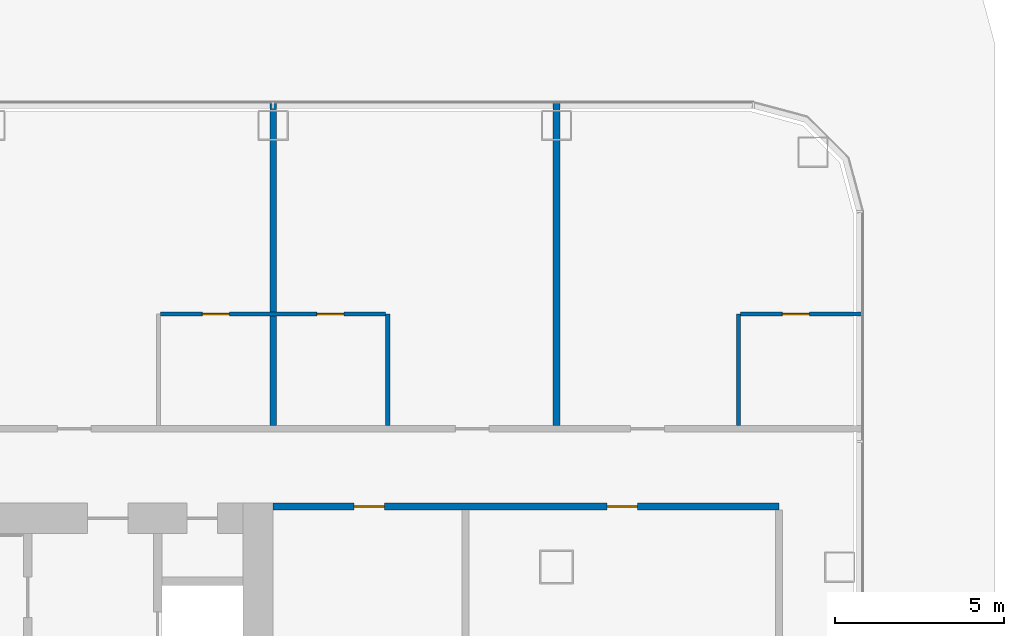
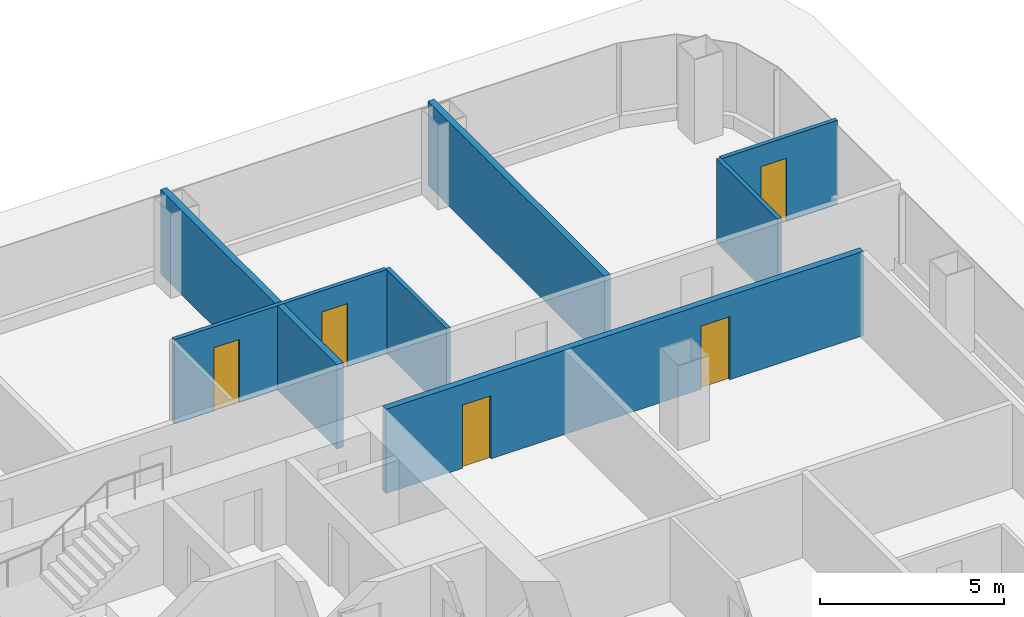
# One storey, part 27 of 42: 7 walls, 5 doors, 5 openings.
"""IFC4 building model written with IfcOpenShell, lengths in metres."""

from ifc_helpers import new_model, si_unit, direction, frame, frame_2d, origin, place, context, subcontext, project, spatial, rectangle, extrude, material, layer, layer_set, type_object, element, fill, save


model = new_model("IFC4")

# Units and contexts
model_context = context("Model", 3, precision=1e-05, world=origin(), true_north=direction((0.0, 1.0)))
body_context = subcontext(model_context, "Body", "Model", "MODEL_VIEW")
ifc_project = project(units=[si_unit("LENGTHUNIT", "METRE"), si_unit("AREAUNIT", "SQUARE_METRE"), si_unit("VOLUMEUNIT", "CUBIC_METRE"), si_unit("PLANEANGLEUNIT", "RADIAN"), si_unit("MASSUNIT", "GRAM", prefix="KILO")], contexts=[model_context])

# Site, building, storey
site_placement = place(None, origin())
site = spatial("IfcSite", under=ifc_project, at=site_placement, CompositionType="ELEMENT")
building_placement = place(site_placement, origin())
building = spatial("IfcBuilding", under=site, at=building_placement, Name="Hakoniwa Tower and Hamabe Station Hall", CompositionType="ELEMENT")
storey_placement = place(building_placement, frame((0.0, 0.0, 19.800048828125)))
storey = spatial("IfcBuildingStorey", under=building, at=storey_placement, Name="L04", CompositionType="ELEMENT", Elevation=19.800048828125)

# Wall, openings, doors
ifc_material_1 = material(Name="Gypsum board partition", Category="gypsum")
ifc_layer_1 = layer(ifc_material_1, 0.125)
ifc_layer_set_1 = layer_set([ifc_layer_1], Name="Bathroom Partition 125")
wall_type_1 = type_object("IfcWallType", Name="Bathroom Partition 125", PredefinedType="PARTITIONING", material=ifc_layer_set_1)
wall_1_placement = place(storey_placement, frame((30.262451171875, 14.0, 0.0), z_axis=(0.0, 0.0, 1.0), x_axis=(1.0, 0.0, 0.0)))
wall_1 = element("IfcWall", 1, at=wall_1_placement, inside=storey, type_object=wall_type_1, Name="GW-L04-034", PredefinedType="PARTITIONING", context=body_context, shape_type="SweptSolid", body=[
    extrude(rectangle(XDim=6.675048828125, YDim=0.125, at=frame_2d((3.33740234375, 0.0))), origin(), (0.0, 0.0, 1.0), 2.800048828125),
])
opening_1_placement = place(wall_1_placement, frame((1.237548828125, 0.0, 0.0)))
opening_1 = element("IfcOpeningElement", 2, at=opening_1_placement, cuts=wall_1, Name="Opening GD-G1A0-65", PredefinedType="OPENING", context=body_context, shape_type="SweptSolid", body=[
    extrude(rectangle(XDim=0.800048828125, YDim=2.10009765625, at=frame_2d((0.39990234375, 1.050048828125))), frame((0.0, 0.072509765625, 0.0), z_axis=(0.0, -1.0, 0.0), x_axis=(1.0, 0.0, 0.0)), (0.0, 0.0, 1.0), 0.14501953125),
])
opening_2_placement = place(wall_1_placement, frame((4.637451171875, 0.0, 0.0)))
opening_2 = element("IfcOpeningElement", 3, at=opening_2_placement, cuts=wall_1, Name="Opening GD-G1A0-66", PredefinedType="OPENING", context=body_context, shape_type="SweptSolid", body=[
    extrude(rectangle(XDim=0.800048828125, YDim=2.10009765625, at=frame_2d((0.39990234375, 1.050048828125))), frame((0.0, 0.072509765625, 0.0), z_axis=(0.0, -1.0, 0.0), x_axis=(1.0, 0.0, 0.0)), (0.0, 0.0, 1.0), 0.14501953125),
])
ifc_material_2 = material(Name="Timber door leaf", Category="wood")
door_type_1 = type_object("IfcDoorType", Name="Bathroom Door 800", OperationType="SINGLE_SWING_LEFT", PredefinedType="DOOR", material=ifc_material_2)
door_1_placement = place(opening_1_placement, origin())
door_1 = element("IfcDoor", 4, at=door_1_placement, inside=storey, type_object=door_type_1, Name="Door GD-G1A0-65", OperationType="SINGLE_SWING_RIGHT", OverallHeight=2.10009765625, OverallWidth=0.800048828125, PredefinedType="DOOR", context=body_context, shape_type="SweptSolid", body=[
    extrude(rectangle(XDim=0.800048828125, YDim=2.10009765625, at=frame_2d((0.39990234375, 1.050048828125))), frame((0.0, 0.02490234375, 0.0), z_axis=(0.0, -1.0, 0.0), x_axis=(1.0, 0.0, 0.0)), (0.0, 0.0, 1.0), 0.050048828125),
])
fill(opening_1, door_1)
door_2_placement = place(opening_2_placement, origin())
door_2 = element("IfcDoor", 5, at=door_2_placement, inside=storey, type_object=door_type_1, Name="Door GD-G1A0-66", OperationType="SINGLE_SWING_LEFT", OverallHeight=2.10009765625, OverallWidth=0.800048828125, PredefinedType="DOOR", context=body_context, shape_type="SweptSolid", body=[
    extrude(rectangle(XDim=0.800048828125, YDim=2.10009765625, at=frame_2d((0.39990234375, 1.050048828125))), frame((0.0, 0.02490234375, 0.0), z_axis=(0.0, -1.0, 0.0), x_axis=(1.0, 0.0, 0.0)), (0.0, 0.0, 1.0), 0.050048828125),
])
fill(opening_2, door_2)

# Wall, opening, door
wall_2_placement = place(storey_placement, frame((47.46240234375, 14.0, 0.0), z_axis=(0.0, 0.0, 1.0), x_axis=(1.0, 0.0, 0.0)))
wall_2 = element("IfcWall", 6, at=wall_2_placement, inside=storey, type_object=wall_type_1, Name="GW-L04-035", PredefinedType="PARTITIONING", context=body_context, shape_type="SweptSolid", body=[
    extrude(rectangle(XDim=3.6376953125, YDim=0.125, at=frame_2d((1.81884765625, 0.0))), origin(), (0.0, 0.0, 1.0), 2.800048828125),
])
opening_3_placement = place(wall_2_placement, frame((1.237548828125, 0.0, 0.0)))
opening_3 = element("IfcOpeningElement", 7, at=opening_3_placement, cuts=wall_2, Name="Opening GD-G1A0-67", PredefinedType="OPENING", context=body_context, shape_type="SweptSolid", body=[
    extrude(rectangle(XDim=0.800048828125, YDim=2.10009765625, at=frame_2d((0.39990234375, 1.050048828125))), frame((0.0, 0.072509765625, 0.0), z_axis=(0.0, -1.0, 0.0), x_axis=(1.0, 0.0, 0.0)), (0.0, 0.0, 1.0), 0.14501953125),
])
door_3_placement = place(opening_3_placement, origin())
door_3 = element("IfcDoor", 8, at=door_3_placement, inside=storey, type_object=door_type_1, Name="Door GD-G1A0-67", OperationType="SINGLE_SWING_LEFT", OverallHeight=2.10009765625, OverallWidth=0.800048828125, PredefinedType="DOOR", context=body_context, shape_type="SweptSolid", body=[
    extrude(rectangle(XDim=0.800048828125, YDim=2.10009765625, at=frame_2d((0.39990234375, 1.050048828125))), frame((0.0, 0.02490234375, 0.0), z_axis=(0.0, -1.0, 0.0), x_axis=(1.0, 0.0, 0.0)), (0.0, 0.0, 1.0), 0.050048828125),
])
fill(opening_3, door_3)

# Walls
for number, where, z_axis, x_axis, name in (
    (9, (37.0, 10.699951171875, 0.0), (0.0, 0.0, 1.0), (0.0, 1.0, 0.0), "GW-L04-089"),
    (10, (47.39990234375, 10.699951171875, 0.0), (0.0, 0.0, 1.0), (0.0, 1.0, 0.0), "GW-L04-097"),
):
    element("IfcWall", number, at=place(storey_placement, frame(where, z_axis=z_axis, x_axis=x_axis)), inside=storey, type_object=wall_type_1, Name=name, PredefinedType="PARTITIONING", context=body_context, shape_type="SweptSolid", body=[
        extrude(rectangle(XDim=3.300048828125, YDim=0.125, at=frame_2d((1.64990234375, 0.0))), origin(), (0.0, 0.0, 1.0), 2.800048828125),
    ])

# Wall, openings, doors
ifc_material_3 = material(Name="Fire-rated gypsum board partition", Category="gypsum")
ifc_layer_2 = layer(ifc_material_3, 0.199951171875)
ifc_layer_set_2 = layer_set([ifc_layer_2], Name="Corridor Wall 200")
wall_type_2 = type_object("IfcWallType", Name="Corridor Wall 200", PredefinedType="PARTITIONING", material=ifc_layer_set_2)
wall_3_placement = place(storey_placement, frame((33.60009765625, 8.300048828125, 0.0), z_axis=(0.0, 0.0, 1.0), x_axis=(1.0, 0.0, 0.0)))
wall_3 = element("IfcWall", 11, at=wall_3_placement, inside=storey, type_object=wall_type_2, Name="GW-L04-025", PredefinedType="PARTITIONING", context=body_context, shape_type="SweptSolid", body=[
    extrude(rectangle(XDim=15.0, YDim=0.199951171875, at=frame_2d((7.5, 0.0))), origin(), (0.0, 0.0, 1.0), 2.800048828125),
])
opening_4_placement = place(wall_3_placement, frame((2.39990234375, 0.0, 0.0)))
opening_4 = element("IfcOpeningElement", 12, at=opening_4_placement, cuts=wall_3, Name="Opening GD-G1A0-48", PredefinedType="OPENING", context=body_context, shape_type="SweptSolid", body=[
    extrude(rectangle(XDim=0.89990234375, YDim=2.10009765625, at=frame_2d((0.449951171875, 1.050048828125))), frame((0.0, 0.10986328125, 0.0), z_axis=(0.0, -1.0, 0.0), x_axis=(1.0, 0.0, 0.0)), (0.0, 0.0, 1.0), 0.219970703125),
])
opening_5_placement = place(wall_3_placement, frame((9.89990234375, 0.0, 0.0)))
opening_5 = element("IfcOpeningElement", 13, at=opening_5_placement, cuts=wall_3, Name="Opening GD-G1A0-49", PredefinedType="OPENING", context=body_context, shape_type="SweptSolid", body=[
    extrude(rectangle(XDim=0.89990234375, YDim=2.10009765625, at=frame_2d((0.449951171875, 1.050048828125))), frame((0.0, 0.10986328125, 0.0), z_axis=(0.0, -1.0, 0.0), x_axis=(1.0, 0.0, 0.0)), (0.0, 0.0, 1.0), 0.219970703125),
])
ifc_material_4 = material(Name="Timber door leaf", Category="wood")
door_type_2 = type_object("IfcDoorType", Name="Service Door 900", OperationType="SINGLE_SWING_LEFT", PredefinedType="DOOR", material=ifc_material_4)
door_4_placement = place(opening_4_placement, origin())
door_4 = element("IfcDoor", 14, at=door_4_placement, inside=storey, type_object=door_type_2, Name="Door GD-G1A0-48", OperationType="SINGLE_SWING_LEFT", OverallHeight=2.10009765625, OverallWidth=0.89990234375, PredefinedType="DOOR", context=body_context, shape_type="SweptSolid", body=[
    extrude(rectangle(XDim=0.89990234375, YDim=2.10009765625, at=frame_2d((0.449951171875, 1.050048828125))), frame((0.0, 0.02490234375, 0.0), z_axis=(0.0, -1.0, 0.0), x_axis=(1.0, 0.0, 0.0)), (0.0, 0.0, 1.0), 0.050048828125),
])
fill(opening_4, door_4)
door_5_placement = place(opening_5_placement, origin())
door_5 = element("IfcDoor", 15, at=door_5_placement, inside=storey, type_object=door_type_2, Name="Door GD-G1A0-49", OperationType="SINGLE_SWING_RIGHT", OverallHeight=2.10009765625, OverallWidth=0.89990234375, PredefinedType="DOOR", context=body_context, shape_type="SweptSolid", body=[
    extrude(rectangle(XDim=0.89990234375, YDim=2.10009765625, at=frame_2d((0.449951171875, 1.050048828125))), frame((0.0, 0.02490234375, 0.0), z_axis=(0.0, -1.0, 0.0), x_axis=(1.0, 0.0, 0.0)), (0.0, 0.0, 1.0), 0.050048828125),
])
fill(opening_5, door_5)

# Walls
ifc_material_5 = material(Name="Fire-rated gypsum board partition", Category="gypsum")
ifc_layer_3 = layer(ifc_material_5, 0.199951171875)
ifc_layer_set_3 = layer_set([ifc_layer_3], Name="Party Wall 200")
wall_type_3 = type_object("IfcWallType", Name="Party Wall 200", PredefinedType="PARTITIONING", material=ifc_layer_set_3)
for number, where, z_axis, x_axis, name in (
    (16, (33.60009765625, 10.699951171875, 0.0), (0.0, 0.0, 1.0), (0.0, 1.0, 0.0), "GW-L04-086"),
    (17, (42.0, 10.699951171875, 0.0), (0.0, 0.0, 1.0), (0.0, 1.0, 0.0), "GW-L04-094"),
):
    element("IfcWall", number, at=place(storey_placement, frame(where, z_axis=z_axis, x_axis=x_axis)), inside=storey, type_object=wall_type_3, Name=name, PredefinedType="PARTITIONING", context=body_context, shape_type="SweptSolid", body=[
        extrude(rectangle(XDim=9.60009765625, YDim=0.199951171875, at=frame_2d((4.800048828125, 0.0))), origin(), (0.0, 0.0, 1.0), 2.800048828125),
    ])

save(model, "model.ifc")
